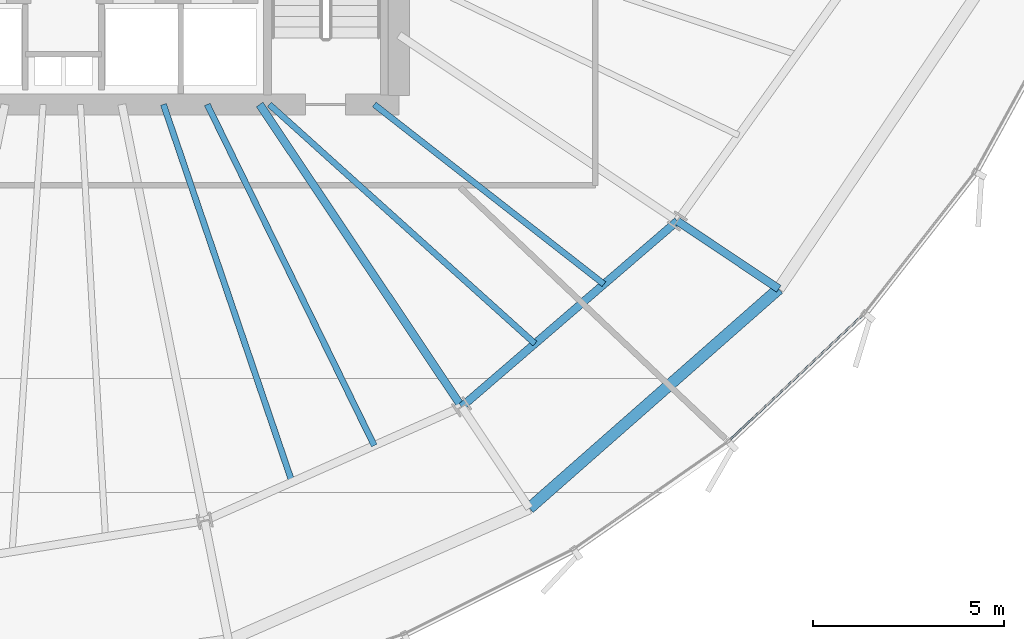
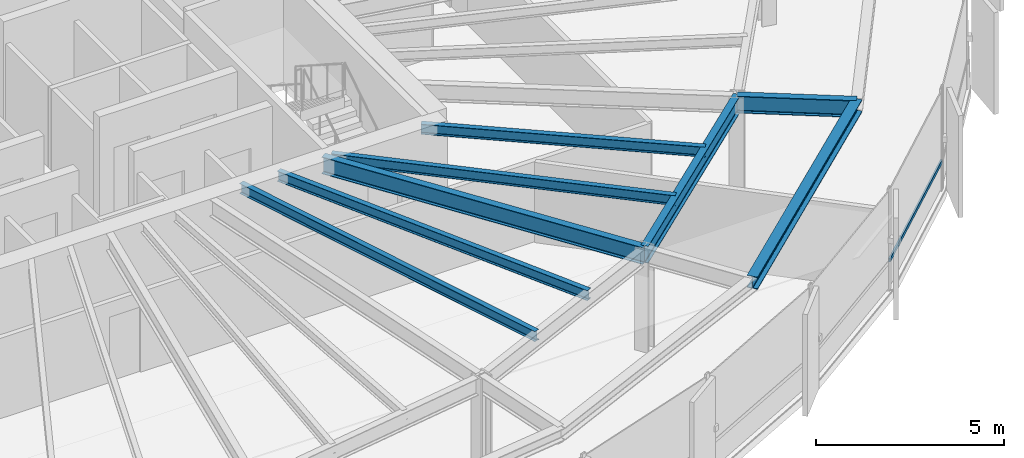
# One storey, part 13 of 34: 8 beams, 1 member, 1 element without a shape of its own.
"""IFC4 building model written with IfcOpenShell, lengths in metres."""

from ifc_helpers import new_model, si_unit, direction, frame, origin, origin_2d, place, context, subcontext, project, spatial, hollow_rectangle, i_section, extrude, source, transform, mapped, material, layer, layer_set, material_profile, profile_set, type_object, element, aggregate, save


model = new_model("IFC4")

# Units and contexts
model_context = context("Model", 3, precision=1e-05, world=origin(), true_north=direction((0.0, 1.0)))
body_context = subcontext(model_context, "Body", "Model", "MODEL_VIEW")
ifc_project = project(units=[si_unit("LENGTHUNIT", "METRE"), si_unit("AREAUNIT", "SQUARE_METRE"), si_unit("VOLUMEUNIT", "CUBIC_METRE"), si_unit("PLANEANGLEUNIT", "RADIAN"), si_unit("MASSUNIT", "GRAM", prefix="KILO"), si_unit("THERMODYNAMICTEMPERATUREUNIT", "KELVIN")], contexts=[model_context])

# Site, building, storey
site_placement = place(None, origin())
site = spatial("IfcSite", under=ifc_project, at=site_placement, CompositionType="ELEMENT")
building_placement = place(site_placement, origin())
building = spatial("IfcBuilding", under=site, at=building_placement, Name="Kethvar Cultural Tower", CompositionType="ELEMENT")
storey_placement = place(building_placement, frame((0.0, 0.0, 125.199951171875)))
storey = spatial("IfcBuildingStorey", under=building, at=storey_placement, Name="L31", CompositionType="ELEMENT", Elevation=125.199951171875)

# Beams
ifc_material_1 = material(Name="Steel S355J2", Category="steel")
ifc_material_profile_1 = material_profile(ifc_material_1, i_section(OverallWidth=0.2099609375, OverallDepth=0.550048828125, WebThickness=0.010986328125, FlangeThickness=0.01708984375, FilletRadius=0.02392578125, at=origin_2d()), Name="Steel S355J2 — IPE550")
ifc_profile_set_1 = profile_set([ifc_material_profile_1], Name="Steel S355J2 — IPE550")
beam_type_1 = type_object("IfcBeamType", Name="BM-IPE550", PredefinedType="BEAM", material=ifc_profile_set_1)
shared_shape_1 = source(origin(), body_context, "Body", "SweptSolid", [
    extrude(i_section(OverallWidth=0.2099609375, OverallDepth=0.550048828125, WebThickness=0.010986328125, FlangeThickness=0.01708984375, FilletRadius=0.02392578125, at=origin_2d()), origin(), (0.0, 0.0, 1.0), 3.199951171875),
])
beam_1_placement = place(storey_placement, frame((62.898681640625, 17.043212890625, 3.072998046875), z_axis=(0.831462943996, -0.555580212716, 0.0), x_axis=(0.555580212716, 0.831462943996, 0.0)))
element("IfcBeam", 1, at=beam_1_placement, inside=storey, type_object=beam_type_1, Name="L31 Perimeter Cantilever Beam RC-15", PredefinedType="BEAM", context=body_context, shape_type="MappedRepresentation", body=[
    mapped(shared_shape_1, transform((0.0, 0.0, 0.0), scale=1.0)),
])
shared_shape_2 = source(origin(), body_context, "Body", "SweptSolid", [
    extrude(i_section(OverallWidth=0.2099609375, OverallDepth=0.550048828125, WebThickness=0.010986328125, FlangeThickness=0.01708984375, FilletRadius=0.02392578125, at=origin_2d()), origin(), (0.0, 0.0, 1.0), 9.534423828125),
])
beam_2_placement = place(storey_placement, frame((51.945068359375, 20.10009765625, 3.072998046875), z_axis=(0.555550817894, -0.831482584747, 0.0), x_axis=(0.831482584747, 0.555550817894, 0.0)))
element("IfcBeam", 2, at=beam_2_placement, inside=storey, type_object=beam_type_1, Name="L31 Primary Radial Beam RB-14", PredefinedType="BEAM", context=body_context, shape_type="MappedRepresentation", body=[
    mapped(shared_shape_2, transform((0.0, 0.0, 0.0), scale=1.0)),
])
ifc_material_profile_2 = material_profile(ifc_material_1, i_section(OverallWidth=0.159912109375, OverallDepth=0.330078125, WebThickness=0.007568359375, FlangeThickness=0.011474609375, FilletRadius=0.01806640625, at=origin_2d()), Name="Steel S355J2 — IPE330")
ifc_profile_set_2 = profile_set([ifc_material_profile_2], Name="Steel S355J2 — IPE330")
beam_type_2 = type_object("IfcBeamType", Name="BM-J330", PredefinedType="JOIST", material=ifc_profile_set_2)
shared_shape_3 = source(origin(), body_context, "Body", "SweptSolid", [
    extrude(i_section(OverallWidth=0.159912109375, OverallDepth=0.330078125, WebThickness=0.007568359375, FlangeThickness=0.011474609375, FilletRadius=0.01806640625, at=origin_2d()), origin(), (0.0, 0.0, 1.0), 10.45947265625),
])
beam_3_placement = place(storey_placement, frame((49.42236328125, 20.10009765625, 3.18310546875), z_axis=(0.322390188368, -0.94660687006, 0.0), x_axis=(0.94660687006, 0.322390188368, 0.0)))
element("IfcBeam", 3, at=beam_3_placement, inside=storey, type_object=beam_type_2, Name="L31 Composite Floor Joist J-13A", PredefinedType="JOIST", context=body_context, shape_type="MappedRepresentation", body=[
    mapped(shared_shape_3, transform((0.0, 0.0, 0.0), scale=1.0)),
])
shared_shape_4 = source(origin(), body_context, "Body", "SweptSolid", [
    extrude(i_section(OverallWidth=0.159912109375, OverallDepth=0.330078125, WebThickness=0.007568359375, FlangeThickness=0.011474609375, FilletRadius=0.01806640625, at=origin_2d()), origin(), (0.0, 0.0, 1.0), 9.959228515625),
])
beam_4_placement = place(storey_placement, frame((50.57080078125, 20.10009765625, 3.18310546875), z_axis=(0.439785134514, -0.898103020516, 0.0), x_axis=(0.898103020516, 0.439785134514, 0.0)))
element("IfcBeam", 4, at=beam_4_placement, inside=storey, type_object=beam_type_2, Name="L31 Composite Floor Joist J-13B", PredefinedType="JOIST", context=body_context, shape_type="MappedRepresentation", body=[
    mapped(shared_shape_4, transform((0.0, 0.0, 0.0), scale=1.0)),
])
shared_shape_5 = source(origin(), body_context, "Body", "SweptSolid", [
    extrude(i_section(OverallWidth=0.2099609375, OverallDepth=0.550048828125, WebThickness=0.010986328125, FlangeThickness=0.01708984375, FilletRadius=0.02392578125, at=origin_2d()), origin(), (0.0, 0.0, 1.0), 7.46484375),
])
beam_5_placement = place(storey_placement, frame((57.241943359375, 12.17236328125, 3.072998046875), z_axis=(0.757784075291, 0.652505398625, 0.0), x_axis=(-0.652505398625, 0.757784075291, 0.0)))
element("IfcBeam", 5, at=beam_5_placement, inside=storey, type_object=beam_type_1, Name="L31 Column Ring Tie Beam CR-14", PredefinedType="BEAM", context=body_context, shape_type="MappedRepresentation", body=[
    mapped(shared_shape_5, transform((0.0, 0.0, 0.0), scale=1.0)),
])
ifc_material_profile_3 = material_profile(ifc_material_1, i_section(OverallWidth=0.300048828125, OverallDepth=0.39990234375, WebThickness=0.013427734375, FlangeThickness=0.02392578125, FilletRadius=0.027099609375, at=origin_2d()), Name="Steel S355J2 — HEB400")
ifc_profile_set_3 = profile_set([ifc_material_profile_3], Name="Steel S355J2 — HEB400")
beam_type_3 = type_object("IfcBeamType", Name="BM-SP400", PredefinedType="SPANDREL", material=ifc_profile_set_3)
shared_shape_6 = source(origin(), body_context, "Body", "SweptSolid", [
    extrude(i_section(OverallWidth=0.300048828125, OverallDepth=0.39990234375, WebThickness=0.013427734375, FlangeThickness=0.02392578125, FilletRadius=0.027099609375, at=origin_2d()), origin(), (0.0, 0.0, 1.0), 8.71044921875),
])
beam_6_placement = place(storey_placement, frame((59.019775390625, 9.51171875, 3.14794921875), z_axis=(0.75077856833, 0.660553965498, 0.0), x_axis=(-0.660553965498, 0.75077856833, 0.0)))
element("IfcBeam", 6, at=beam_6_placement, inside=storey, type_object=beam_type_3, Name="L31 Perimeter Spandrel Beam SP-14", PredefinedType="SPANDREL", context=body_context, shape_type="MappedRepresentation", body=[
    mapped(shared_shape_6, transform((0.0, 0.0, 0.0), scale=1.0)),
])
shared_shape_7 = source(origin(), body_context, "Body", "SweptSolid", [
    extrude(i_section(OverallWidth=0.159912109375, OverallDepth=0.330078125, WebThickness=0.007568359375, FlangeThickness=0.011474609375, FilletRadius=0.01806640625, at=origin_2d()), origin(), (0.0, 0.0, 1.0), 9.372802734375),
])
beam_7_placement = place(storey_placement, frame((52.199951171875, 20.10009765625, 3.18310546875), z_axis=(0.743151656479, -0.669123019685, 0.0), x_axis=(0.669123019685, 0.743151656479, 0.0)))
element("IfcBeam", 7, at=beam_7_placement, inside=storey, type_object=beam_type_2, Name="L31 Composite Floor Joist J-14A", PredefinedType="JOIST", context=body_context, shape_type="MappedRepresentation", body=[
    mapped(shared_shape_7, transform((0.0, 0.0, 0.0), scale=1.0)),
])
shared_shape_8 = source(origin(), body_context, "Body", "SweptSolid", [
    extrude(i_section(OverallWidth=0.159912109375, OverallDepth=0.330078125, WebThickness=0.007568359375, FlangeThickness=0.011474609375, FilletRadius=0.01806640625, at=origin_2d()), origin(), (0.0, 0.0, 1.0), 7.649658203125),
])
beam_8_placement = place(storey_placement, frame((54.949951171875, 20.10009765625, 3.18310546875), z_axis=(0.787671994752, -0.616094821179, 0.0), x_axis=(0.616094821179, 0.787671994752, 0.0)))
element("IfcBeam", 8, at=beam_8_placement, inside=storey, type_object=beam_type_2, Name="L31 Composite Floor Joist J-14B", PredefinedType="JOIST", context=body_context, shape_type="MappedRepresentation", body=[
    mapped(shared_shape_8, transform((0.0, 0.0, 0.0), scale=1.0)),
])

# Curtain wall, member
ifc_material_2 = material(Name="Aluminium 6063-T6", Category="aluminium")
ifc_layer = layer(ifc_material_2, 0.179931640625, Name="Aluminium 6063-T6", Category="aluminium")
ifc_layer_set = layer_set([ifc_layer], Name="Aluminium 6063-T6 (180 mm)")
curtain_wall_type = type_object("IfcCurtainWallType", Name="CW-SYS-03-Z2", PredefinedType="NOTDEFINED", material=ifc_layer_set)
curtain_wall_placement = place(storey_placement, origin())
curtain_wall = element("IfcCurtainWall", 9, at=curtain_wall_placement, inside=storey, type_object=curtain_wall_type, Name="L31 Curtain Wall Run 05", PredefinedType="NOTDEFINED")
ifc_material_profile_4 = material_profile(ifc_material_2, hollow_rectangle(XDim=0.054931640625, YDim=0.1201171875, WallThickness=0.00390625, at=origin_2d()), Name="Aluminium 6063-T6 — RHS120x55x4")
ifc_profile_set_4 = profile_set([ifc_material_profile_4], Name="Aluminium 6063-T6 — RHS120x55x4")
member_type = type_object("IfcMemberType", Name="CW-SYS-03-Z2-TRN", PredefinedType="USERDEFINED", material=ifc_profile_set_4)
shared_shape_9 = source(origin(), body_context, "Body", "SweptSolid", [
    extrude(hollow_rectangle(XDim=0.054931640625, YDim=0.1201171875, WallThickness=0.00390625, at=origin_2d()), origin(), (0.0, 0.0, 1.0), 4.796630859375),
])
member_placement = place(storey_placement, frame((64.266845703125, 11.293212890625, 0.949951171875), z_axis=(0.7285062432, 0.685039162106, 0.0), x_axis=(-0.685039162106, 0.7285062432, 0.0)))
member = element("IfcMember", 10, at=member_placement, type_object=member_type, Name="CW-L31-R05 Transom 6", ObjectType="TRANSOM", PredefinedType="USERDEFINED", context=body_context, shape_type="MappedRepresentation", body=[
    mapped(shared_shape_9, transform((0.0, 0.0, 0.0), scale=1.0)),
])
aggregate(curtain_wall, [member])

save(model, "model.ifc")
